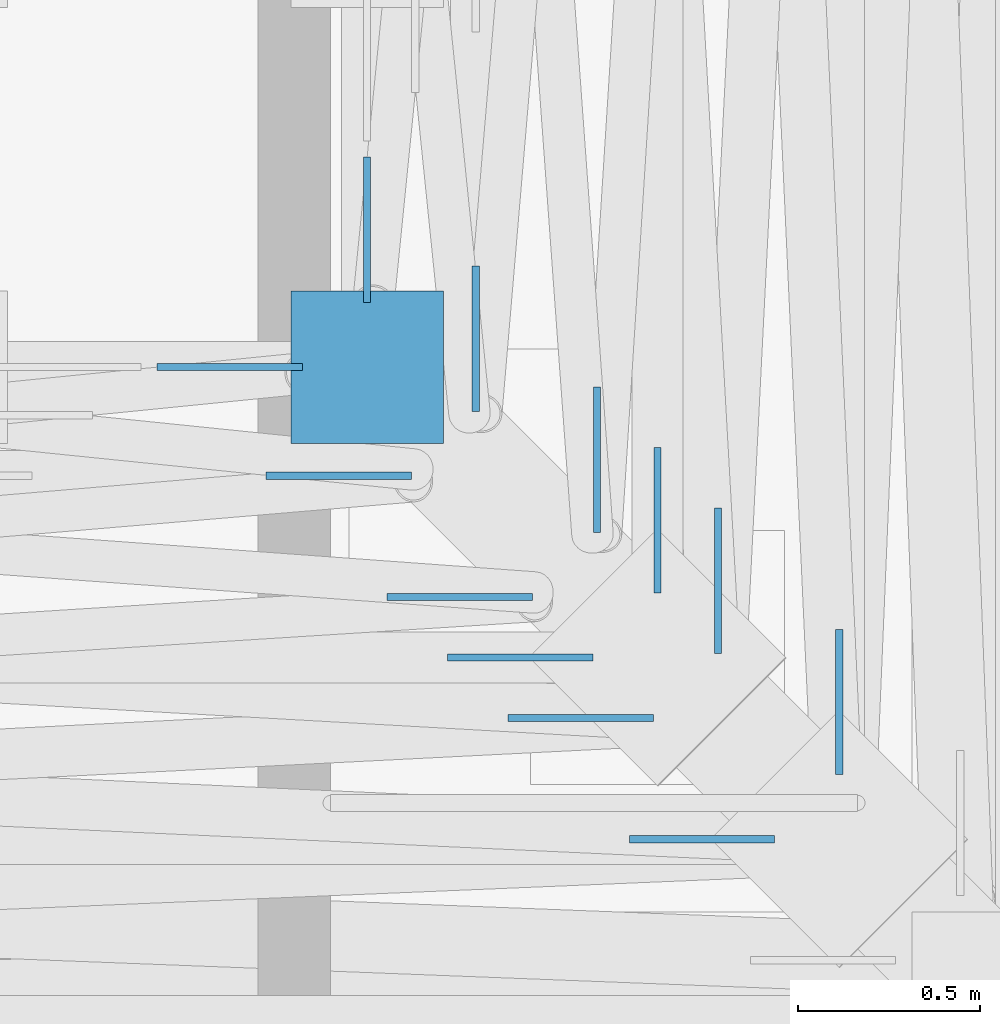
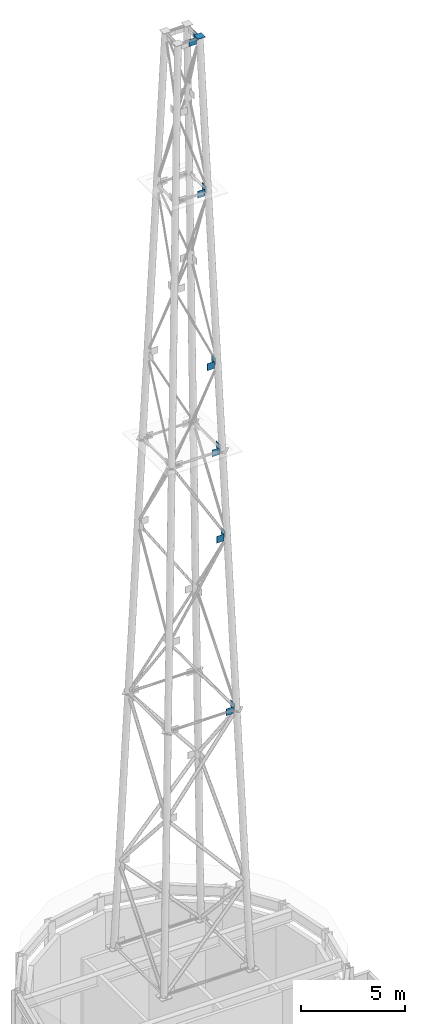
# One storey, part 8 of 15: 13 discrete accessories.
"""IFC4 building model written with IfcOpenShell, lengths in metres."""

from ifc_helpers import new_model, si_unit, direction, frame, origin, origin_2d, place, context, subcontext, project, spatial, rectangle, extrude, material, layer, layer_set, material_profile, profile_set, type_object, element, save


model = new_model("IFC4")

# Units and contexts
model_context = context("Model", 3, precision=1e-05, world=origin(), true_north=direction((0.0, 1.0)))
body_context = subcontext(model_context, "Body", "Model", "MODEL_VIEW")
ifc_project = project(units=[si_unit("LENGTHUNIT", "METRE"), si_unit("AREAUNIT", "SQUARE_METRE"), si_unit("VOLUMEUNIT", "CUBIC_METRE"), si_unit("PLANEANGLEUNIT", "RADIAN"), si_unit("MASSUNIT", "GRAM", prefix="KILO")], contexts=[model_context])

# Site, building, storey
site_placement = place(None, origin())
site = spatial("IfcSite", under=ifc_project, at=site_placement, CompositionType="ELEMENT")
building_placement = place(site_placement, origin())
building = spatial("IfcBuilding", under=site, at=building_placement, Name="Immortelle Media Tower", CompositionType="ELEMENT")
storey_placement = place(building_placement, frame((0.0, 0.0, 308.0)))
storey = spatial("IfcBuildingStorey", under=building, at=storey_placement, Name="Roof", CompositionType="ELEMENT", Elevation=308.0)

# Discrete accessories
ifc_material_1 = material(Name="Structural steel S355J2 plate", Category="steel")
ifc_layer = layer(ifc_material_1, 0.02001953125)
ifc_layer_set = layer_set([ifc_layer], Name="Structural steel S355J2 plate")
discrete_accessory_type_1 = type_object("IfcDiscreteAccessoryType", Name="MAST leg end plate 420 x 420 x 20", PredefinedType="USERDEFINED", material=ifc_layer_set)
discrete_accessory_1_placement = place(storey_placement, frame((12.60009765625, 11.39990234375, 66.97998046875), z_axis=(0.0, 0.0, 1.0), x_axis=(1.0, 0.0, 0.0)))
element("IfcDiscreteAccessory", 1, at=discrete_accessory_1_placement, inside=storey, type_object=discrete_accessory_type_1, Name="MAST leg end plate B", ObjectType="END PLATE", PredefinedType="USERDEFINED", context=body_context, shape_type="SweptSolid", body=[
    extrude(rectangle(XDim=0.419921875, YDim=0.419921875, at=origin_2d()), origin(), (0.0, 0.0, 1.0), 0.02001953125),
])
ifc_material_2 = material(Name="Steel ASTM A572 Gr 50", Category="steel")
ifc_material_profile = material_profile(ifc_material_2, rectangle(XDim=0.02001953125, YDim=0.39990234375, at=origin_2d()), Name="PL 20 x 400")
ifc_profile_set = profile_set([ifc_material_profile], Name="Steel ASTM A572 Gr 50")
discrete_accessory_type_2 = type_object("IfcDiscreteAccessoryType", Name="Node plate GP4 400 x 400 x 20", PredefinedType="USERDEFINED", material=ifc_profile_set)
discrete_accessory_2_placement = place(storey_placement, frame((13.72216796875, 10.10009765625, 27.989990234375), z_axis=(-1.0, 0.0, 0.0), x_axis=(0.0, -1.0, 0.0)))
element("IfcDiscreteAccessory", 2, at=discrete_accessory_2_placement, inside=storey, type_object=discrete_accessory_type_2, Name="Node plate GP4, leg B, face 1, node 4", ObjectType="NODE PLATE", PredefinedType="USERDEFINED", context=body_context, shape_type="SweptSolid", body=[
    extrude(rectangle(XDim=0.02001953125, YDim=0.39990234375, at=origin_2d()), origin(), (0.0, 0.0, 1.0), 0.400146484375),
])
for number, where, z_axis, x_axis, name in (
    (3, (13.388671875, 10.43359375, 37.989990234375), (-1.0, 0.0, 0.0), (0.0, -1.0, 0.0), "Node plate GP4, leg B, face 1, node 6"),
    (4, (13.221923828125, 10.60009765625, 42.989990234375), (-1.0, 0.0, 0.0), (0.0, -1.0, 0.0), "Node plate GP4, leg B, face 1, node 7"),
):
    element("IfcDiscreteAccessory", number, at=place(storey_placement, frame(where, z_axis=z_axis, x_axis=x_axis)), inside=storey, type_object=discrete_accessory_type_2, Name=name, ObjectType="NODE PLATE", PredefinedType="USERDEFINED", context=body_context, shape_type="SweptSolid", body=[
        extrude(rectangle(XDim=0.02001953125, YDim=0.39990234375, at=origin_2d()), origin(), (0.0, 0.0, 1.0), 0.39990234375),
    ])
discrete_accessory_3_placement = place(storey_placement, frame((13.055419921875, 10.766845703125, 47.989990234375), z_axis=(-1.0, 0.0, 0.0), x_axis=(0.0, -1.0, 0.0)))
element("IfcDiscreteAccessory", 5, at=discrete_accessory_3_placement, inside=storey, type_object=discrete_accessory_type_2, Name="Node plate GP4, leg B, face 1, node 8", ObjectType="NODE PLATE", PredefinedType="USERDEFINED", context=body_context, shape_type="SweptSolid", body=[
    extrude(rectangle(XDim=0.02001953125, YDim=0.39990234375, at=origin_2d()), origin(), (0.0, 0.0, 1.0), 0.400146484375),
])
for number, where, z_axis, x_axis, name in (
    (6, (12.721923828125, 11.100341796875, 57.989990234375), (-1.0, 0.0, 0.0), (0.0, -1.0, 0.0), "Node plate GP4, leg B, face 1, node 10"),
    (7, (12.422119140625, 11.39990234375, 66.780029296875), (-1.0, 0.0, 0.0), (0.0, -1.0, 0.0), "Node plate GP4, leg B, face 1, node 12"),
):
    element("IfcDiscreteAccessory", number, at=place(storey_placement, frame(where, z_axis=z_axis, x_axis=x_axis)), inside=storey, type_object=discrete_accessory_type_2, Name=name, ObjectType="NODE PLATE", PredefinedType="USERDEFINED", context=body_context, shape_type="SweptSolid", body=[
        extrude(rectangle(XDim=0.02001953125, YDim=0.39990234375, at=origin_2d()), origin(), (0.0, 0.0, 1.0), 0.39990234375),
    ])
discrete_accessory_4_placement = place(storey_placement, frame((13.89990234375, 10.27783203125, 27.989990234375), z_axis=(0.0, 1.0, 0.0), x_axis=(-1.0, 0.0, 0.0)))
element("IfcDiscreteAccessory", 8, at=discrete_accessory_4_placement, inside=storey, type_object=discrete_accessory_type_2, Name="Node plate GP4, leg B, face 2, node 4", ObjectType="NODE PLATE", PredefinedType="USERDEFINED", context=body_context, shape_type="SweptSolid", body=[
    extrude(rectangle(XDim=0.02001953125, YDim=0.39990234375, at=origin_2d()), origin(), (0.0, 0.0, 1.0), 0.400146484375),
])
for number, where, z_axis, x_axis, name in (
    (9, (13.56640625, 10.611328125, 37.989990234375), (0.0, 1.0, 0.0), (-1.0, 0.0, 0.0), "Node plate GP4, leg B, face 2, node 6"),
    (10, (13.39990234375, 10.778076171875, 42.989990234375), (0.0, 1.0, 0.0), (-1.0, 0.0, 0.0), "Node plate GP4, leg B, face 2, node 7"),
):
    element("IfcDiscreteAccessory", number, at=place(storey_placement, frame(where, z_axis=z_axis, x_axis=x_axis)), inside=storey, type_object=discrete_accessory_type_2, Name=name, ObjectType="NODE PLATE", PredefinedType="USERDEFINED", context=body_context, shape_type="SweptSolid", body=[
        extrude(rectangle(XDim=0.02001953125, YDim=0.39990234375, at=origin_2d()), origin(), (0.0, 0.0, 1.0), 0.39990234375),
    ])
discrete_accessory_5_placement = place(storey_placement, frame((13.233154296875, 10.944580078125, 47.989990234375), z_axis=(0.0, 1.0, 0.0), x_axis=(-1.0, 0.0, 0.0)))
element("IfcDiscreteAccessory", 11, at=discrete_accessory_5_placement, inside=storey, type_object=discrete_accessory_type_2, Name="Node plate GP4, leg B, face 2, node 8", ObjectType="NODE PLATE", PredefinedType="USERDEFINED", context=body_context, shape_type="SweptSolid", body=[
    extrude(rectangle(XDim=0.02001953125, YDim=0.39990234375, at=origin_2d()), origin(), (0.0, 0.0, 1.0), 0.400146484375),
])
for number, where, z_axis, x_axis, name in (
    (12, (12.899658203125, 11.278076171875, 57.989990234375), (0.0, 1.0, 0.0), (-1.0, 0.0, 0.0), "Node plate GP4, leg B, face 2, node 10"),
    (13, (12.60009765625, 11.577880859375, 66.780029296875), (0.0, 1.0, 0.0), (-1.0, 0.0, 0.0), "Node plate GP4, leg B, face 2, node 12"),
):
    element("IfcDiscreteAccessory", number, at=place(storey_placement, frame(where, z_axis=z_axis, x_axis=x_axis)), inside=storey, type_object=discrete_accessory_type_2, Name=name, ObjectType="NODE PLATE", PredefinedType="USERDEFINED", context=body_context, shape_type="SweptSolid", body=[
        extrude(rectangle(XDim=0.02001953125, YDim=0.39990234375, at=origin_2d()), origin(), (0.0, 0.0, 1.0), 0.39990234375),
    ])

save(model, "model.ifc")
